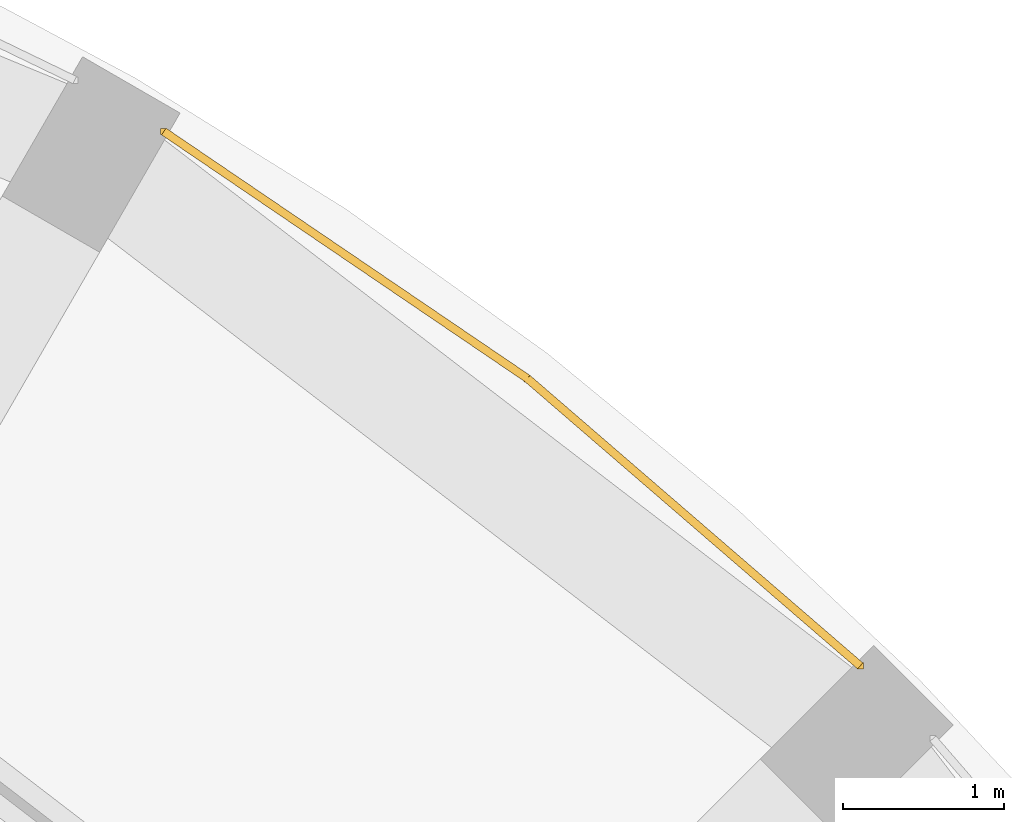
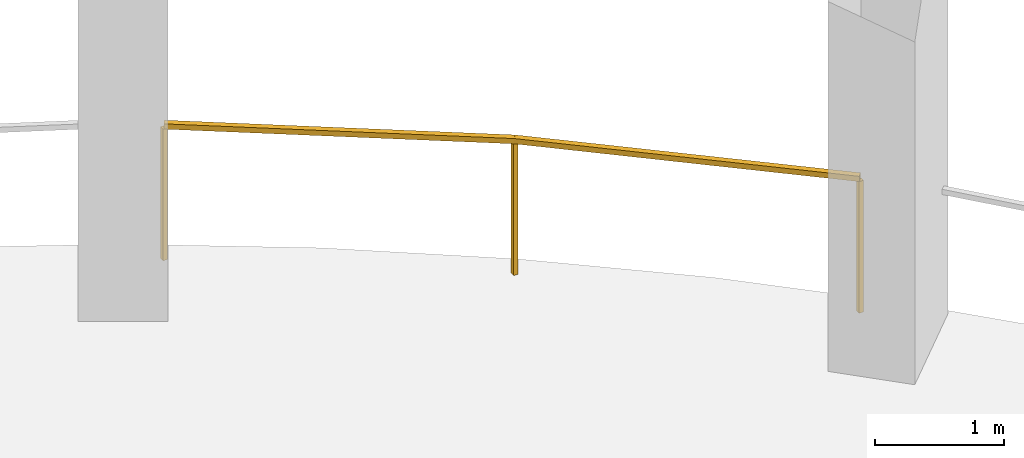
# One storey, part 8 of 8: 1 railing.
"""IFC4 building model written with IfcOpenShell, lengths in metres."""

from ifc_helpers import new_model, si_unit, direction, frame, origin, origin_2d, place, context, subcontext, project, spatial, rectangle, extrude, material, type_object, element, save


model = new_model("IFC4")

# Units and contexts
model_context = context("Model", 3, precision=1e-05, world=origin(), true_north=direction((0.0, 1.0)))
body_context = subcontext(model_context, "Body", "Model", "MODEL_VIEW")
ifc_project = project(units=[si_unit("LENGTHUNIT", "METRE"), si_unit("AREAUNIT", "SQUARE_METRE"), si_unit("VOLUMEUNIT", "CUBIC_METRE"), si_unit("PLANEANGLEUNIT", "RADIAN"), si_unit("MASSUNIT", "GRAM", prefix="KILO")], contexts=[model_context])

# Site, building, storey
site_placement = place(None, origin())
site = spatial("IfcSite", under=ifc_project, at=site_placement, CompositionType="ELEMENT")
building_placement = place(site_placement, origin())
building = spatial("IfcBuilding", under=site, at=building_placement, Name="Torre Triforio", CompositionType="ELEMENT")
storey_placement = place(building_placement, frame((0.0, 0.0, 207.60009765625)))
storey = spatial("IfcBuildingStorey", under=building, at=storey_placement, Name="L47", CompositionType="ELEMENT", Elevation=207.60009765625)

# Railing
ifc_material = material(Name="Stainless steel AISI 316", Category="steel")
railing_type = type_object("IfcRailingType", Name="Loggia guard 1300", PredefinedType="GUARDRAIL", material=ifc_material)
railing_placement = place(storey_placement, frame((16.28466796875, 16.7373046875, 0.0)))
element("IfcRailing", 1, at=railing_placement, inside=storey, type_object=railing_type, Name="Loggia guard L47 bay 04", PredefinedType="GUARDRAIL", context=body_context, shape_type="SweptSolid", body=[
    extrude(rectangle(XDim=0.050048828125, YDim=0.050048828125, at=origin_2d()), frame((0.0, 0.0, 1.27490234375), z_axis=(-0.756857127214, 0.653580361536, 0.0), x_axis=(-0.653580361536, -0.756857127214, 0.0)), (0.0, 0.0, 1.0), 2.735107421875),
    extrude(rectangle(XDim=0.050048828125, YDim=0.050048828125, at=origin_2d()), frame((-2.070068359375, 1.78759765625, 1.27490234375), z_axis=(-0.827198686069, 0.561909542334, 0.0), x_axis=(-0.561909542334, -0.827198686069, 0.0)), (0.0, 0.0, 1.0), 2.735107421875),
    extrude(rectangle(XDim=0.0400390625, YDim=0.0400390625, at=origin_2d()), origin(), (0.0, 0.0, 1.0), 1.25),
    extrude(rectangle(XDim=0.0400390625, YDim=0.0400390625, at=origin_2d()), frame((-2.070068359375, 1.78759765625, 0.0)), (0.0, 0.0, 1.0), 1.25),
    extrude(rectangle(XDim=0.0400390625, YDim=0.0400390625, at=origin_2d()), frame((-4.33251953125, 3.324462890625, 0.0)), (0.0, 0.0, 1.0), 1.25),
])

save(model, "model.ifc")
